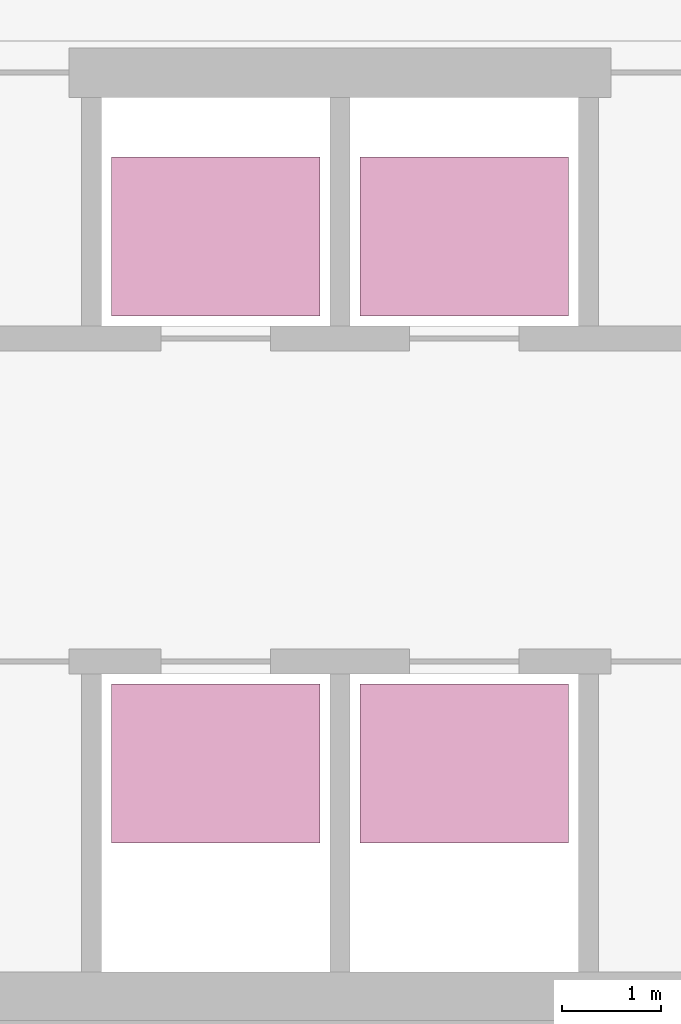
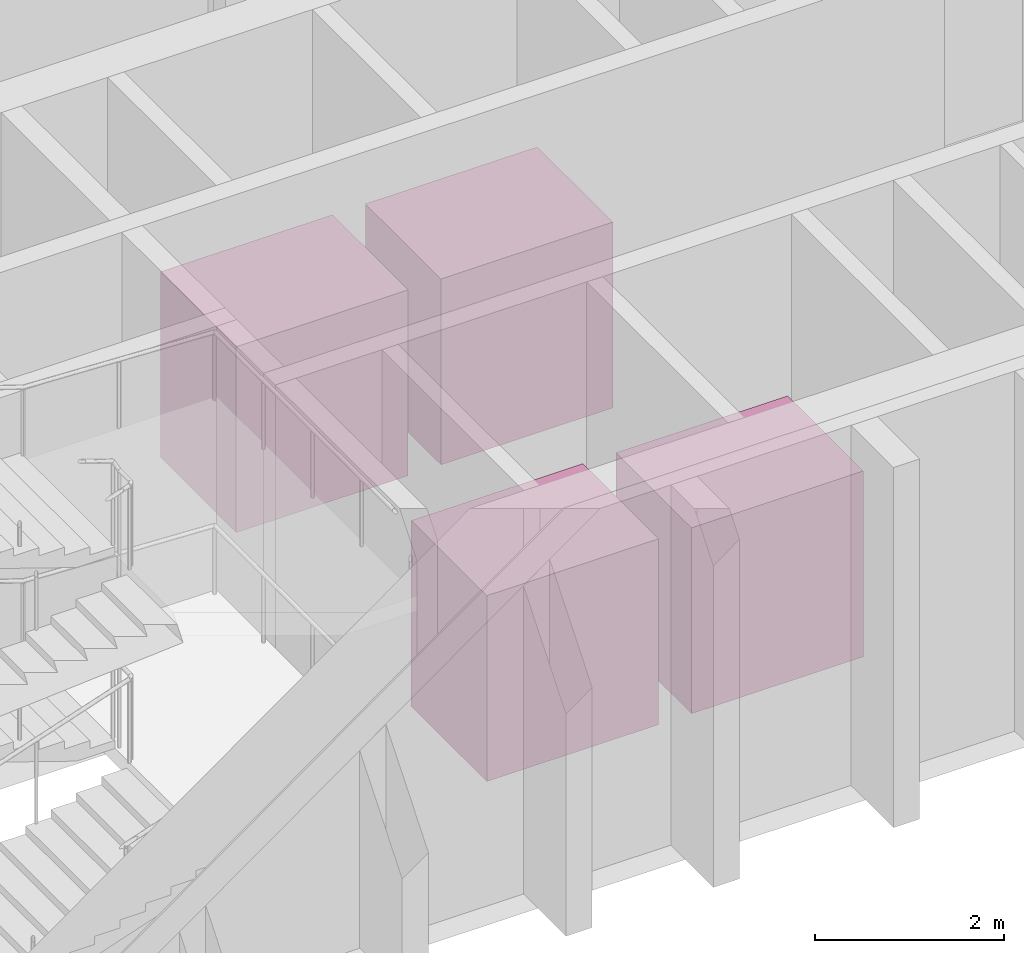
# One storey, part 14 of 14: 4 transport elements.
"""IFC4 building model written with IfcOpenShell, lengths in metres."""

from ifc_helpers import new_model, si_unit, direction, frame, origin, origin_2d, place, context, subcontext, project, spatial, rectangle, extrude, material, type_object, element, save


model = new_model("IFC4")

# Units and contexts
model_context = context("Model", 3, precision=1e-05, world=origin(), true_north=direction((0.0, 1.0)))
body_context = subcontext(model_context, "Body", "Model", "MODEL_VIEW")
ifc_project = project(units=[si_unit("LENGTHUNIT", "METRE"), si_unit("AREAUNIT", "SQUARE_METRE"), si_unit("VOLUMEUNIT", "CUBIC_METRE"), si_unit("PLANEANGLEUNIT", "RADIAN"), si_unit("MASSUNIT", "GRAM", prefix="KILO")], contexts=[model_context])

# Site, building, storey
site_placement = place(None, origin())
site = spatial("IfcSite", under=ifc_project, at=site_placement, CompositionType="ELEMENT")
building_placement = place(site_placement, origin())
building = spatial("IfcBuilding", under=site, at=building_placement, Name="Quipu Civic Tower", CompositionType="ELEMENT")
storey_placement = place(building_placement, frame((0.0, 0.0, 248.0)))
storey = spatial("IfcBuildingStorey", under=building, at=storey_placement, Name="L58", CompositionType="ELEMENT", Elevation=248.0)

# Transport elements
ifc_material = material(Name="Stainless steel", Category="steel")
transport_element_type = type_object("IfcTransportElementType", Name="Passenger lift high bank", PredefinedType="ELEVATOR", material=ifc_material)
for number, where, z_axis, x_axis, name in (
    (1, (-9.050048828125, -8.39990234375, 0.0), (0.0, 0.0, 1.0), (1.0, 0.0, 0.0), "Passenger lift HL1"),
    (2, (-6.550048828125, -8.39990234375, 0.0), (0.0, 0.0, 1.0), (1.0, 0.0, 0.0), "Passenger lift HL2"),
    (3, (-9.050048828125, -3.10009765625, 0.0), (0.0, 0.0, 1.0), (1.0, 0.0, 0.0), "Passenger lift HL3"),
    (4, (-6.550048828125, -3.10009765625, 0.0), (0.0, 0.0, 1.0), (1.0, 0.0, 0.0), "Passenger lift HL4"),
):
    element("IfcTransportElement", number, at=place(storey_placement, frame(where, z_axis=z_axis, x_axis=x_axis)), inside=storey, type_object=transport_element_type, Name=name, PredefinedType="ELEVATOR", context=body_context, shape_type="SweptSolid", body=[
        extrude(rectangle(XDim=2.10009765625, YDim=1.60009765625, at=origin_2d()), origin(), (0.0, 0.0, 1.0), 2.39990234375),
    ])

save(model, "model.ifc")
